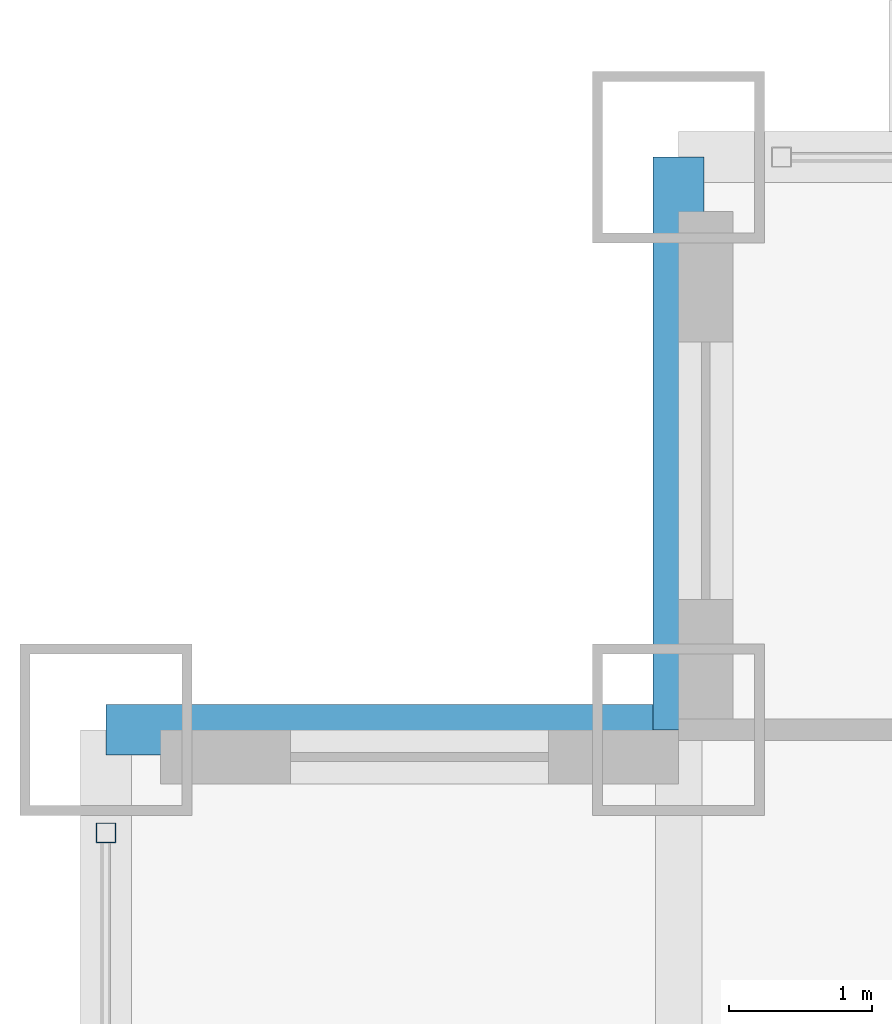
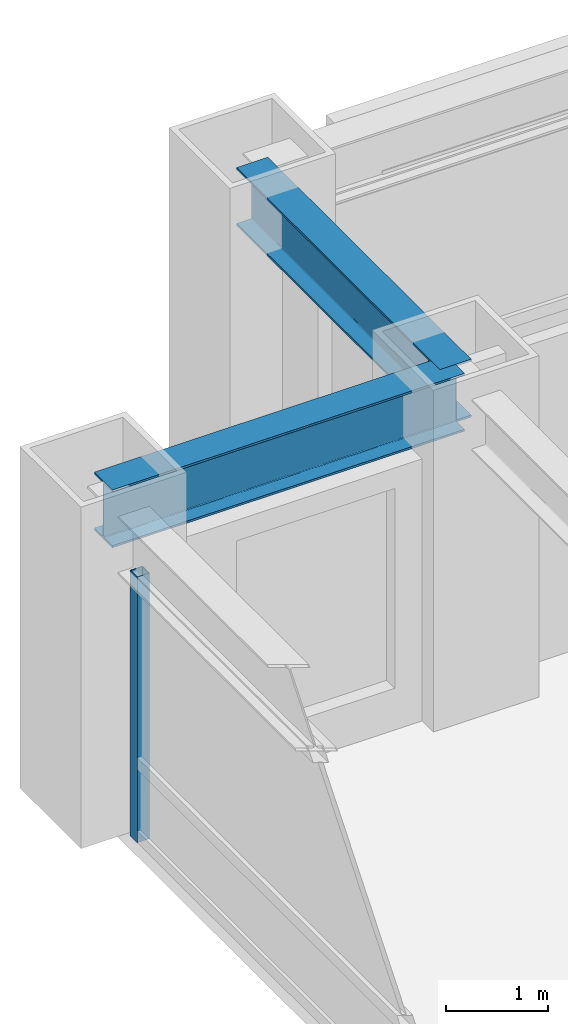
# One storey, part 10 of 32: 2 beams, 1 member, 1 element without a shape of its own.
"""IFC4 building model written with IfcOpenShell, lengths in metres."""

from ifc_helpers import new_model, si_unit, direction, frame, origin, origin_2d, place, context, subcontext, project, spatial, hollow_rectangle, i_section, extrude, source, transform, mapped, material, material_profile, profile_set, type_object, element, aggregate, save


model = new_model("IFC4")

# Units and contexts
model_context = context("Model", 3, precision=1e-05, world=origin(), true_north=direction((0.0, 1.0)))
body_context = subcontext(model_context, "Body", "Model", "MODEL_VIEW")
ifc_project = project(units=[si_unit("LENGTHUNIT", "METRE"), si_unit("AREAUNIT", "SQUARE_METRE"), si_unit("VOLUMEUNIT", "CUBIC_METRE"), si_unit("PLANEANGLEUNIT", "RADIAN"), si_unit("MASSUNIT", "GRAM", prefix="KILO")], contexts=[model_context])

# Site, building, storey
site_placement = place(None, origin())
site = spatial("IfcSite", under=ifc_project, at=site_placement, CompositionType="ELEMENT")
building_placement = place(site_placement, origin())
building = spatial("IfcBuilding", under=site, at=building_placement, Name="Khorayat Bourse Tower", CompositionType="ELEMENT")
storey_placement = place(building_placement, frame((0.0, 0.0, 128.300048828125)))
storey = spatial("IfcBuildingStorey", under=building, at=storey_placement, Name="L29", CompositionType="ELEMENT", Elevation=128.300048828125)

# Beams
ifc_material_1 = material(Name="Steel ASTM A992 Grade 50", Category="steel")
ifc_material_profile_1 = material_profile(ifc_material_1, i_section(OverallWidth=0.35498046875, OverallDepth=0.695068359375, WebThickness=0.015380859375, FlangeThickness=0.02490234375, FilletRadius=0.01806640625, at=origin_2d()), Name="W690X217")
ifc_profile_set_1 = profile_set([ifc_material_profile_1], Name="Steel ASTM A992 Grade 50")
beam_type = type_object("IfcBeamType", Name="BM-SPAN-690", PredefinedType="SPANDREL", material=ifc_profile_set_1)
shared_shape_1 = source(origin(), body_context, "Body", "SweptSolid", [
    extrude(i_section(OverallWidth=0.35498046875, OverallDepth=0.695068359375, WebThickness=0.015380859375, FlangeThickness=0.02490234375, FilletRadius=0.01806640625, at=origin_2d()), origin(), (0.0, 0.0, 1.0), 4.0),
])
for number, where, z_axis, x_axis, name in (
    (1, (-28.0, 28.0, 3.492431640625), (0.0, 1.0, 0.0), (-1.0, 0.0, 0.0), "L29 BM-SPAN-690 BM-L29-SPN-052"),
    (2, (-32.0, 28.0, 3.492431640625), (1.0, 0.0, 0.0), (0.0, 1.0, 0.0), "L29 BM-SPAN-690 BM-L29-SPN-053"),
):
    element("IfcBeam", number, at=place(storey_placement, frame(where, z_axis=z_axis, x_axis=x_axis)), inside=storey, type_object=beam_type, Name=name, PredefinedType="SPANDREL", context=body_context, shape_type="MappedRepresentation", body=[
        mapped(shared_shape_1, transform((0.0, 0.0, 0.0), scale=1.0)),
    ])

# Curtain wall, member
ifc_material_2 = material(Name="Aluminium EN AW-6063 T6", Category="aluminium")
curtain_wall_type = type_object("IfcCurtainWallType", Name="CW-SYS-02", PredefinedType="NOTDEFINED", material=ifc_material_2)
curtain_wall_placement = place(storey_placement, origin())
curtain_wall = element("IfcCurtainWall", 3, at=curtain_wall_placement, inside=storey, type_object=curtain_wall_type, Name="L29 Curtain Wall CW-L29-W1", PredefinedType="NOTDEFINED")
ifc_material_profile_2 = material_profile(ifc_material_2, hollow_rectangle(XDim=0.139892578125, YDim=0.139892578125, WallThickness=0.006103515625, at=origin_2d()), Name="ALU 140x140x6")
ifc_profile_set_2 = profile_set([ifc_material_profile_2], Name="Aluminium EN AW-6063 T6")
member_type = type_object("IfcMemberType", Name="CWM-VERT-140", PredefinedType="MULLION", material=ifc_profile_set_2)
shared_shape_2 = source(origin(), body_context, "Body", "SweptSolid", [
    extrude(hollow_rectangle(XDim=0.139892578125, YDim=0.139892578125, WallThickness=0.006103515625, at=origin_2d()), origin(), (0.0, 0.0, 1.0), 3.18994140625),
])
member_placement = place(storey_placement, frame((-32.0, 27.280029296875, 0.0), z_axis=(0.0, 0.0, 1.0), x_axis=(-1.0, 0.0, 0.0)))
member = element("IfcMember", 4, at=member_placement, type_object=member_type, Name="CW-L29-W1 Vertical Mullion 3", PredefinedType="MULLION", context=body_context, shape_type="MappedRepresentation", body=[
    mapped(shared_shape_2, transform((0.0, 0.0, 0.0), scale=1.0)),
])
aggregate(curtain_wall, [member])

save(model, "model.ifc")
